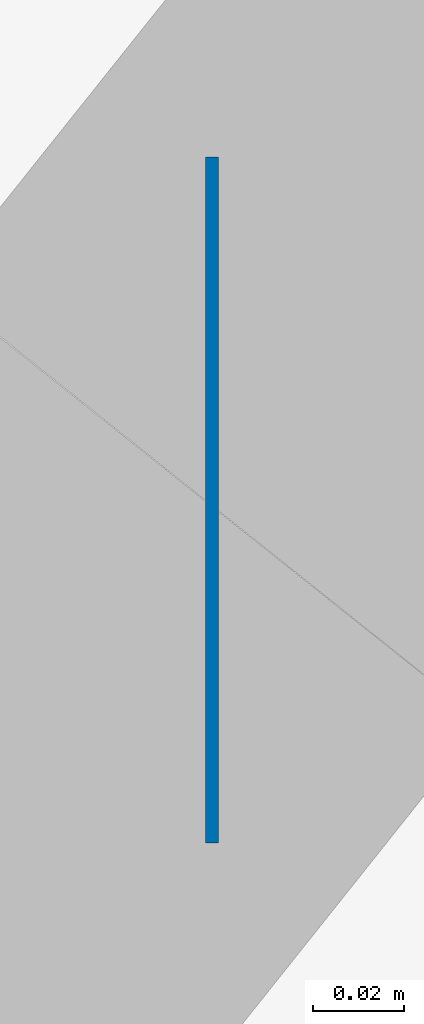
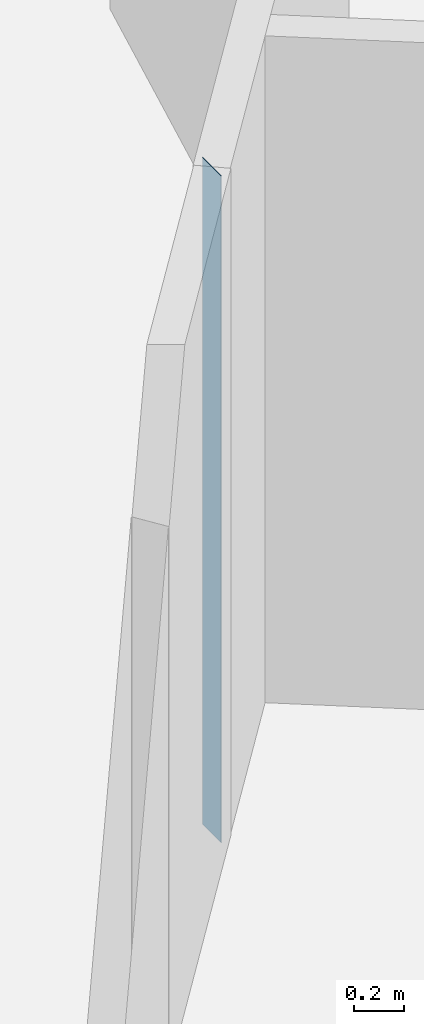
# One storey, part 5 of 13: 1 wall.
"""IFC4 building model written with IfcOpenShell, lengths in metres."""

from ifc_helpers import new_model, si_unit, direction, frame, frame_2d, origin, place, context, subcontext, project, spatial, rectangle, extrude, material, layer, layer_set, type_object, element, save


model = new_model("IFC4")

# Units and contexts
model_context = context("Model", 3, precision=1e-05, world=origin(), true_north=direction((0.0, 1.0)))
body_context = subcontext(model_context, "Body", "Model", "MODEL_VIEW")
ifc_project = project(units=[si_unit("LENGTHUNIT", "METRE"), si_unit("AREAUNIT", "SQUARE_METRE"), si_unit("VOLUMEUNIT", "CUBIC_METRE"), si_unit("PLANEANGLEUNIT", "RADIAN"), si_unit("MASSUNIT", "GRAM", prefix="KILO")], contexts=[model_context])

# Site, building, storey
site_placement = place(None, origin())
site = spatial("IfcSite", under=ifc_project, at=site_placement, CompositionType="ELEMENT")
building_placement = place(site_placement, origin())
building = spatial("IfcBuilding", under=site, at=building_placement, Name="Tracery Tower", CompositionType="ELEMENT")
storey_placement = place(building_placement, frame((0.0, 0.0, 309.0)))
storey = spatial("IfcBuildingStorey", under=building, at=storey_placement, Name="L80", CompositionType="ELEMENT", Elevation=309.0)

# Wall
ifc_material = material(Name="Plasterboard on steel studs", Category="steel")
ifc_layer = layer(ifc_material, 0.14990234375)
ifc_layer_set = layer_set([ifc_layer], Name="Partition 150 corridor wall")
wall_type = type_object("IfcWallType", Name="Partition 150 corridor wall", PredefinedType="PARTITIONING", material=ifc_layer_set)
wall_placement = place(storey_placement, frame((11.136962890625, -8.800048828125, 0.0), z_axis=(0.0, 0.0, 1.0), x_axis=(-1.0, 0.0, 0.0)))
element("IfcWall", 1, at=wall_placement, inside=storey, type_object=wall_type, Name="Corridor wall RC8-018", PredefinedType="PARTITIONING", context=body_context, shape_type="SweptSolid", body=[
    extrude(rectangle(XDim=0.0029296875, YDim=0.14990234375, at=frame_2d((0.00146484375, 0.0))), origin(), (0.0, 0.0, 1.0), 3.25),
])

save(model, "model.ifc")
